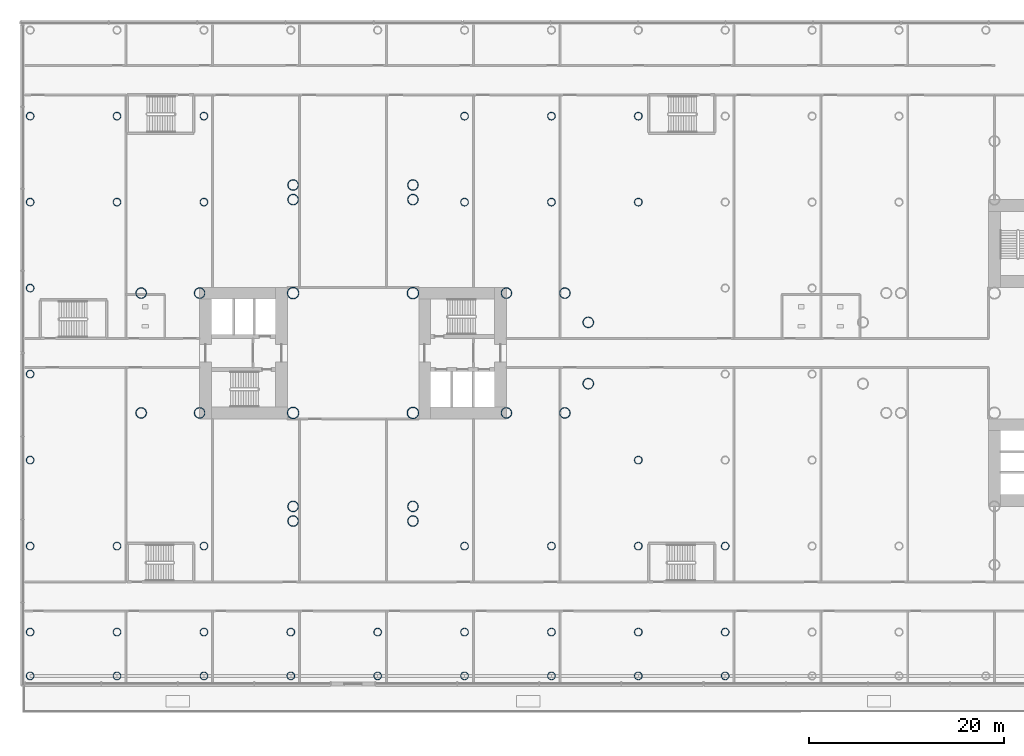
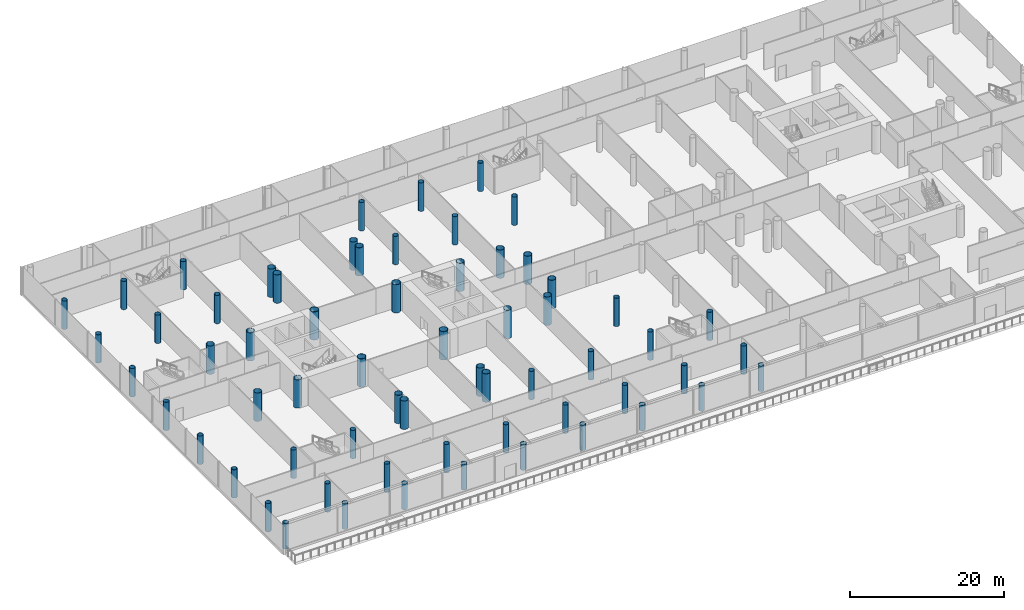
# One storey, part 1 of 51: 63 columns.
"""IFC4 building model written with IfcOpenShell, lengths in metres."""

import ifcopenshell
import ifcopenshell.guid

model = None  # the IFC model being written
_history = None  # IfcOwnerHistory: only IFC2X3 demands one
_inside = {}  # id of a spatial element -> (the spatial element, [elements in it])
_under = {}  # id of a project, library or spatial element -> (it, [spatial elements below it])
_declared = {}  # id of a project -> (the project, [libraries it declares])
_typed = {}  # id of a type object -> (the type object, [elements of that type])
_made_of = {}  # id of a material, layer set ... -> (it, [elements and type objects made of it])


def new_model(schema):
    """Start an empty IFC model of exactly this schema.

    Asked for "IFC4X3", IfcOpenShell would pick the latest addendum, in which some entities
    have other attributes; the version numbers below select the first issue.
    IFC2X3 requires an IfcOwnerHistory on every rooted entity: one is made here for all.
    """
    global model, _history
    if schema == "IFC4X3":
        model = ifcopenshell.file(schema_version=(4, 3, 0, 0))
    else:
        model = ifcopenshell.file(schema=schema)
    _inside.clear()
    _under.clear()
    _declared.clear()
    _typed.clear()
    _made_of.clear()
    _history = None
    if model.schema == "IFC2X3":
        org = make("IfcOrganization", Name="unknown")
        user = make(
            "IfcPersonAndOrganization",
            ThePerson=make("IfcPerson", FamilyName="unknown"),
            TheOrganization=org,
        )
        app = make(
            "IfcApplication",
            ApplicationDeveloper=org,
            Version="unknown",
            ApplicationFullName="unknown",
            ApplicationIdentifier="unknown",
        )
        _history = make(
            "IfcOwnerHistory",
            OwningUser=user,
            OwningApplication=app,
            ChangeAction="ADDED",
            CreationDate=0,
        )
    return model


def make(cls, **values):
    """One entity of the class cls with the attributes given. An attribute that is None is left unset."""
    return model.create_entity(
        cls, **{name: value for name, value in values.items() if value is not None}
    )


def rooted(cls, **values):
    """An entity with a GlobalId (a new one), such as an element, a storey or a relation."""
    return make(cls, GlobalId=ifcopenshell.guid.new(), OwnerHistory=_history, **values)


def si_unit(unit_type, name, prefix=None):
    """IfcSIUnit, for example si_unit("LENGTHUNIT", "METRE", prefix="MILLI")."""
    return make("IfcSIUnit", UnitType=unit_type, Prefix=prefix, Name=name)


def assignment(units):
    """IfcUnitAssignment: the units of a project."""
    return None if units is None else make("IfcUnitAssignment", Units=units)


def point(xyz):
    """IfcCartesianPoint."""
    return None if xyz is None else make("IfcCartesianPoint", Coordinates=xyz)


def direction(xyz):
    """IfcDirection."""
    return None if xyz is None else make("IfcDirection", DirectionRatios=xyz)


def frame(location, z_axis=None, x_axis=None):
    """IfcAxis2Placement3D, a coordinate frame: its origin and axes. An axis left out is left unset."""
    return make(
        "IfcAxis2Placement3D",
        Location=point(location),
        Axis=direction(z_axis),
        RefDirection=direction(x_axis),
    )


def frame_2d(location, x_axis=None):
    """IfcAxis2Placement2D, a coordinate frame in the plane: its origin and x axis."""
    return make(
        "IfcAxis2Placement2D", Location=point(location), RefDirection=direction(x_axis)
    )


def origin():
    """The frame at (0, 0, 0) with its axes left unset."""
    return frame((0.0, 0.0, 0.0))


def origin_2d():
    """The frame at (0, 0) in the plane with its x axis left unset."""
    return frame_2d((0.0, 0.0))


def place(relative_to, where):
    """IfcLocalPlacement: puts the frame where relative to a parent placement (None: the world)."""
    return make(
        "IfcLocalPlacement", PlacementRelTo=relative_to, RelativePlacement=where
    )


def context(
    kind, dimensions, precision=None, world=None, true_north=None, identifier=None
):
    """IfcGeometricRepresentationContext, for example the 3D "Model" context."""
    return make(
        "IfcGeometricRepresentationContext",
        ContextIdentifier=identifier,
        ContextType=kind,
        CoordinateSpaceDimension=dimensions,
        Precision=precision,
        WorldCoordinateSystem=world,
        TrueNorth=true_north,
    )


def subcontext(parent, identifier, kind, view, scale=None):
    """IfcGeometricRepresentationSubContext, for example "Body" below "Model"."""
    return make(
        "IfcGeometricRepresentationSubContext",
        ContextIdentifier=identifier,
        ContextType=kind,
        ParentContext=parent,
        TargetScale=scale,
        TargetView=view,
    )


def project(units=None, contexts=None):
    """IfcProject with its units and contexts."""
    return rooted(
        "IfcProject",
        Name="project",
        RepresentationContexts=contexts,
        UnitsInContext=assignment(units),
    )


def spatial(cls, under=None, at=None, **own):
    """A site, building, storey or space (cls), placed at a placement, below another one or the project."""
    s = rooted(cls, ObjectPlacement=at, **own)
    if under is not None:
        _under.setdefault(under.id(), (under, []))[1].append(s)
    return s


def profile(cls, at=None, kind="AREA", **sizes):
    """A parametric profile (cls). Its sizes go by their IFC names, for example OverallWidth=200.0."""
    return make(cls, ProfileType=kind, Position=at, **sizes)


def hollow_circle(**sizes):
    """IfcCircleHollowProfileDef."""
    return profile("IfcCircleHollowProfileDef", **sizes)


def extrude(swept, where, along, depth):
    """IfcExtrudedAreaSolid: the profile swept, set in the frame where, extruded along a direction by depth."""
    return make(
        "IfcExtrudedAreaSolid",
        SweptArea=swept,
        Position=where,
        ExtrudedDirection=direction(along),
        Depth=depth,
    )


def shape(context_of_items, identifier, shape_type, items):
    """IfcShapeRepresentation: the items that make up one representation, for example the "Body"."""
    return make(
        "IfcShapeRepresentation",
        ContextOfItems=context_of_items,
        RepresentationIdentifier=identifier,
        RepresentationType=shape_type,
        Items=items,
    )


def material(Name=None, Category=None):
    """IfcMaterial."""
    return make("IfcMaterial", Name=Name, Category=Category)


def material_profile(
    of_material, cross_section, Name=None, Category=None, Priority=None
):
    """IfcMaterialProfile: a cross section and its material."""
    return make(
        "IfcMaterialProfile",
        Name=Name,
        Material=of_material,
        Profile=cross_section,
        Priority=Priority,
        Category=Category,
    )


def profile_set(profiles, Name=None, composite=None):
    """IfcMaterialProfileSet."""
    return make(
        "IfcMaterialProfileSet",
        Name=Name,
        MaterialProfiles=profiles,
        CompositeProfile=composite,
    )


def made_of(thing, what):
    """Note that an element or type object is made of a material, layer set ...; save() writes the relation."""
    if what is not None:
        _made_of.setdefault(what.id(), (what, []))[1].append(thing)
    return thing


def type_object(cls, material=None, **own):
    """A type object (cls), such as IfcWallType, which elements share."""
    return made_of(rooted(cls, **own), material)


def element(
    cls,
    number,
    at=None,
    inside=None,
    cuts=None,
    type_object=None,
    material=None,
    context=None,
    identifier="Body",
    shape_type=None,
    held_by="IfcProductDefinitionShape",
    body=None,
    shapes=None,
    **own,
):
    """One element of the class cls, such as IfcWall. Its Tag is "e" and its number.

    at: its placement. inside: the storey or other place that contains it. cuts: it is an
    opening in that element (IfcRelVoidsElement). A single representation is given by context,
    identifier, shape_type and body (its items); several are given by shapes. held_by: the class
    of the entity that holds the representations. save() writes the other relations.
    """
    e = rooted(cls, Tag="e%d" % number, ObjectPlacement=at, **own)
    if body is not None:
        shapes = [shape(context, identifier, shape_type, body)]
    if shapes is not None:
        e.Representation = make(held_by, Representations=shapes)
    if inside is not None:
        _inside.setdefault(inside.id(), (inside, []))[1].append(e)
    if cuts is not None:
        rooted(
            "IfcRelVoidsElement", RelatingBuildingElement=cuts, RelatedOpeningElement=e
        )
    if type_object is not None:
        _typed.setdefault(type_object.id(), (type_object, []))[1].append(e)
    return made_of(e, material)


def aggregate(whole, parts):
    """IfcRelAggregates: a whole, such as a stair, and the parts it consists of."""
    return rooted("IfcRelAggregates", RelatingObject=whole, RelatedObjects=parts)


def save(model, path):
    """Write the relations noted so far, then the file.

    IfcRelAggregates (storeys below a building ...), IfcRelContainedInSpatialStructure (elements
    in a storey), IfcRelDefinesByType, IfcRelAssociatesMaterial and IfcRelDeclares: one each for
    every whole, place, type object, material and project.
    """
    for whole, parts in _under.values():
        aggregate(whole, parts)
    for where, things in _inside.values():
        rooted(
            "IfcRelContainedInSpatialStructure",
            RelatedElements=things,
            RelatingStructure=where,
        )
    for kind, things in _typed.values():
        rooted("IfcRelDefinesByType", RelatedObjects=things, RelatingType=kind)
    for what, things in _made_of.values():
        rooted("IfcRelAssociatesMaterial", RelatedObjects=things, RelatingMaterial=what)
    for by, libraries in _declared.values():
        rooted("IfcRelDeclares", RelatingContext=by, RelatedDefinitions=libraries)
    model.write(path)


model = new_model("IFC4")

# Units and contexts
model_context = context("Model", 3, precision=1e-05, world=origin(), true_north=direction((0.0, 1.0)))
body_context = subcontext(model_context, "Body", "Model", "MODEL_VIEW")
ifc_project = project(units=[si_unit("LENGTHUNIT", "METRE"), si_unit("AREAUNIT", "SQUARE_METRE"), si_unit("VOLUMEUNIT", "CUBIC_METRE"), si_unit("PLANEANGLEUNIT", "RADIAN"), si_unit("MASSUNIT", "GRAM", prefix="KILO")], contexts=[model_context])

# Site, building, storey
site_placement = place(None, origin())
site = spatial("IfcSite", under=ifc_project, at=site_placement, CompositionType="ELEMENT")
building_placement = place(site_placement, origin())
building = spatial("IfcBuilding", under=site, at=building_placement, Name="Ipe Terrace Towers", CompositionType="ELEMENT")
storey_placement = place(building_placement, frame((0.0, 0.0, 15.5)))
storey = spatial("IfcBuildingStorey", under=building, at=storey_placement, Name="L03", CompositionType="ELEMENT", Elevation=15.5)

# Columns
ifc_material_1 = material(Name="Steel S355 tube with Concrete C60/75 fill", Category="concrete")
ifc_material_profile_1 = material_profile(ifc_material_1, hollow_circle(Radius=0.550048828125, WallThickness=0.0400390625, at=origin_2d()), Name="CHS-1100x40")
ifc_profile_set_1 = profile_set([ifc_material_profile_1], Name="Steel S355 tube with Concrete C60/75 fill")
column_type_1 = type_object("IfcColumnType", Name="CH02 COLUMN CHS-1100x40", PredefinedType="COLUMN", material=ifc_profile_set_1)
for number, where, z_axis, x_axis, name in (
    (1, (-20.25, -6.14990234375, 0.0), (0.0, 0.0, 1.0), (1.0, 0.0, 0.0), "Column T1-C-A01"),
    (2, (-20.25, 6.14990234375, 0.0), (0.0, 0.0, 1.0), (1.0, 0.0, 0.0), "Column T1-C-A02"),
    (3, (-14.25, -6.14990234375, 0.0), (0.0, 0.0, 1.0), (1.0, 0.0, 0.0), "Column T1-C-A03"),
    (4, (-14.25, 6.14990234375, 0.0), (0.0, 0.0, 1.0), (1.0, 0.0, 0.0), "Column T1-C-A04"),
    (5, (-11.85009765625, -3.14990234375, 0.0), (0.0, 0.0, 1.0), (1.0, 0.0, 0.0), "Column T1-C-A05"),
    (6, (-11.85009765625, 3.14990234375, 0.0), (0.0, 0.0, 1.0), (1.0, 0.0, 0.0), "Column T1-C-A06"),
    (7, (-29.85009765625, 15.75, 0.0), (0.0, 0.0, 1.0), (1.0, 0.0, 0.0), "Column T1-C-B03"),
    (8, (-42.14990234375, 15.75, 0.0), (0.0, 0.0, 1.0), (1.0, 0.0, 0.0), "Column T1-C-B04"),
    (9, (-29.85009765625, 17.25, 0.0), (0.0, 0.0, 1.0), (1.0, 0.0, 0.0), "Column T1-C-B05"),
    (10, (-42.14990234375, 17.25, 0.0), (0.0, 0.0, 1.0), (1.0, 0.0, 0.0), "Column T1-C-B06"),
    (11, (-51.75, -6.14990234375, 0.0), (0.0, 0.0, 1.0), (1.0, 0.0, 0.0), "Column T1-C-C01"),
    (12, (-51.75, 6.14990234375, 0.0), (0.0, 0.0, 1.0), (1.0, 0.0, 0.0), "Column T1-C-C02"),
    (13, (-57.75, -6.14990234375, 0.0), (0.0, 0.0, 1.0), (1.0, 0.0, 0.0), "Column T1-C-C03"),
    (14, (-57.75, 6.14990234375, 0.0), (0.0, 0.0, 1.0), (1.0, 0.0, 0.0), "Column T1-C-C04"),
    (15, (-42.14990234375, -15.75, 0.0), (0.0, 0.0, 1.0), (1.0, 0.0, 0.0), "Column T1-C-D03"),
    (16, (-29.85009765625, -15.75, 0.0), (0.0, 0.0, 1.0), (1.0, 0.0, 0.0), "Column T1-C-D04"),
    (17, (-42.14990234375, -17.25, 0.0), (0.0, 0.0, 1.0), (1.0, 0.0, 0.0), "Column T1-C-D05"),
    (18, (-29.85009765625, -17.25, 0.0), (0.0, 0.0, 1.0), (1.0, 0.0, 0.0), "Column T1-C-D06"),
):
    element("IfcColumn", number, at=place(storey_placement, frame(where, z_axis=z_axis, x_axis=x_axis)), inside=storey, type_object=column_type_1, Name=name, PredefinedType="COLUMN", context=body_context, shape_type="SweptSolid", body=[
        extrude(hollow_circle(Radius=0.550048828125, WallThickness=0.0400390625, at=origin_2d()), origin(), (0.0, 0.0, 1.0), 4.5),
    ])
ifc_material_2 = material(Name="Steel S355 tube with Concrete C60/75 fill", Category="concrete")
ifc_material_profile_2 = material_profile(ifc_material_2, hollow_circle(Radius=0.60009765625, WallThickness=0.044921875, at=origin_2d()), Name="CHS-1200x45")
ifc_profile_set_2 = profile_set([ifc_material_profile_2], Name="Steel S355 tube with Concrete C60/75 fill")
column_type_2 = type_object("IfcColumnType", Name="CH03 COLUMN CHS-1200x45", PredefinedType="COLUMN", material=ifc_profile_set_2)
for number, where, z_axis, x_axis, name in (
    (19, (-42.14990234375, -6.14990234375, 0.0), (0.0, 0.0, 1.0), (1.0, 0.0, 0.0), "Column T1-C-E01"),
    (20, (-29.85009765625, -6.14990234375, 0.0), (0.0, 0.0, 1.0), (1.0, 0.0, 0.0), "Column T1-C-E02"),
    (21, (-29.85009765625, 6.14990234375, 0.0), (0.0, 0.0, 1.0), (1.0, 0.0, 0.0), "Column T1-C-E03"),
    (22, (-42.14990234375, 6.14990234375, 0.0), (0.0, 0.0, 1.0), (1.0, 0.0, 0.0), "Column T1-C-E04"),
):
    element("IfcColumn", number, at=place(storey_placement, frame(where, z_axis=z_axis, x_axis=x_axis)), inside=storey, type_object=column_type_2, Name=name, PredefinedType="COLUMN", context=body_context, shape_type="SweptSolid", body=[
        extrude(hollow_circle(Radius=0.60009765625, WallThickness=0.044921875, at=origin_2d()), origin(), (0.0, 0.0, 1.0), 4.5),
    ])
ifc_material_3 = material(Name="Steel S355 tube with Concrete C60/75 fill", Category="concrete")
ifc_material_profile_3 = material_profile(ifc_material_3, hollow_circle(Radius=0.39990234375, WallThickness=0.028076171875, at=origin_2d()), Name="CHS-800x28")
ifc_profile_set_3 = profile_set([ifc_material_profile_3], Name="Steel S355 tube with Concrete C60/75 fill")
column_type_3 = type_object("IfcColumnType", Name="CH09 PODIUM COLUMN CHS-800x28", PredefinedType="COLUMN", material=ifc_profile_set_3)
for number, where, z_axis, x_axis, name in (
    (23, (-69.14990234375, -33.14990234375, 0.0), (0.0, 0.0, 1.0), (1.0, 0.0, 0.0), "Column PD-C-C01"),
    (24, (-60.22998046875, -33.14990234375, 0.0), (0.0, 0.0, 1.0), (1.0, 0.0, 0.0), "Column PD-C-C02"),
    (25, (-51.31005859375, -33.14990234375, 0.0), (0.0, 0.0, 1.0), (1.0, 0.0, 0.0), "Column PD-C-C03"),
    (26, (-42.389892578125, -33.14990234375, 0.0), (0.0, 0.0, 1.0), (1.0, 0.0, 0.0), "Column PD-C-C04"),
    (27, (-33.469970703125, -33.14990234375, 0.0), (0.0, 0.0, 1.0), (1.0, 0.0, 0.0), "Column PD-C-C05"),
    (28, (-24.550048828125, -33.14990234375, 0.0), (0.0, 0.0, 1.0), (1.0, 0.0, 0.0), "Column PD-C-C06"),
    (29, (-15.6298828125, -33.14990234375, 0.0), (0.0, 0.0, 1.0), (1.0, 0.0, 0.0), "Column PD-C-C07"),
    (30, (-6.7099609375, -33.14990234375, 0.0), (0.0, 0.0, 1.0), (1.0, 0.0, 0.0), "Column PD-C-C08"),
    (31, (2.2099609375, -33.14990234375, 0.0), (0.0, 0.0, 1.0), (1.0, 0.0, 0.0), "Column PD-C-C09"),
):
    element("IfcColumn", number, at=place(storey_placement, frame(where, z_axis=z_axis, x_axis=x_axis)), inside=storey, type_object=column_type_3, Name=name, PredefinedType="COLUMN", context=body_context, shape_type="SweptSolid", body=[
        extrude(hollow_circle(Radius=0.39990234375, WallThickness=0.028076171875, at=origin_2d()), origin(), (0.0, 0.0, 1.0), 4.080078125),
    ])
for number, where, z_axis, x_axis, name in (
    (32, (-69.14990234375, -28.64990234375, 0.0), (0.0, 0.0, 1.0), (1.0, 0.0, 0.0), "Column PD-C-D01"),
    (33, (-60.22998046875, -28.64990234375, 0.0), (0.0, 0.0, 1.0), (1.0, 0.0, 0.0), "Column PD-C-D02"),
    (34, (-51.31005859375, -28.64990234375, 0.0), (0.0, 0.0, 1.0), (1.0, 0.0, 0.0), "Column PD-C-D03"),
    (35, (-42.389892578125, -28.64990234375, 0.0), (0.0, 0.0, 1.0), (1.0, 0.0, 0.0), "Column PD-C-D04"),
    (36, (-33.469970703125, -28.64990234375, 0.0), (0.0, 0.0, 1.0), (1.0, 0.0, 0.0), "Column PD-C-D05"),
    (37, (-24.550048828125, -28.64990234375, 0.0), (0.0, 0.0, 1.0), (1.0, 0.0, 0.0), "Column PD-C-D06"),
    (38, (-15.6298828125, -28.64990234375, 0.0), (0.0, 0.0, 1.0), (1.0, 0.0, 0.0), "Column PD-C-D07"),
    (39, (-6.7099609375, -28.64990234375, 0.0), (0.0, 0.0, 1.0), (1.0, 0.0, 0.0), "Column PD-C-D08"),
    (40, (2.2099609375, -28.64990234375, 0.0), (0.0, 0.0, 1.0), (1.0, 0.0, 0.0), "Column PD-C-D09"),
    (41, (-69.14990234375, -19.821044921875, 0.0), (0.0, 0.0, 1.0), (1.0, 0.0, 0.0), "Column PD-C-E01"),
    (42, (-60.22998046875, -19.821044921875, 0.0), (0.0, 0.0, 1.0), (1.0, 0.0, 0.0), "Column PD-C-E02"),
    (43, (-51.31005859375, -19.821044921875, 0.0), (0.0, 0.0, 1.0), (1.0, 0.0, 0.0), "Column PD-C-E03"),
    (44, (-24.550048828125, -19.821044921875, 0.0), (0.0, 0.0, 1.0), (1.0, 0.0, 0.0), "Column PD-C-E06"),
    (45, (-15.6298828125, -19.821044921875, 0.0), (0.0, 0.0, 1.0), (1.0, 0.0, 0.0), "Column PD-C-E07"),
    (46, (-6.7099609375, -19.821044921875, 0.0), (0.0, 0.0, 1.0), (1.0, 0.0, 0.0), "Column PD-C-E08"),
    (47, (2.2099609375, -19.821044921875, 0.0), (0.0, 0.0, 1.0), (1.0, 0.0, 0.0), "Column PD-C-E09"),
    (48, (-69.14990234375, -10.992919921875, 0.0), (0.0, 0.0, 1.0), (1.0, 0.0, 0.0), "Column PD-C-F01"),
    (49, (-6.7099609375, -10.992919921875, 0.0), (0.0, 0.0, 1.0), (1.0, 0.0, 0.0), "Column PD-C-F08"),
    (50, (-69.14990234375, -2.1640625, 0.0), (0.0, 0.0, 1.0), (1.0, 0.0, 0.0), "Column PD-C-G01"),
    (51, (-69.14990234375, 6.6640625, 0.0), (0.0, 0.0, 1.0), (1.0, 0.0, 0.0), "Column PD-C-H01"),
    (52, (-69.14990234375, 15.492919921875, 0.0), (0.0, 0.0, 1.0), (1.0, 0.0, 0.0), "Column PD-C-I01"),
    (53, (-60.22998046875, 15.492919921875, 0.0), (0.0, 0.0, 1.0), (1.0, 0.0, 0.0), "Column PD-C-I02"),
    (54, (-51.31005859375, 15.492919921875, 0.0), (0.0, 0.0, 1.0), (1.0, 0.0, 0.0), "Column PD-C-I03"),
    (55, (-24.550048828125, 15.492919921875, 0.0), (0.0, 0.0, 1.0), (1.0, 0.0, 0.0), "Column PD-C-I06"),
    (56, (-15.6298828125, 15.492919921875, 0.0), (0.0, 0.0, 1.0), (1.0, 0.0, 0.0), "Column PD-C-I07"),
    (57, (-6.7099609375, 15.492919921875, 0.0), (0.0, 0.0, 1.0), (1.0, 0.0, 0.0), "Column PD-C-I08"),
    (58, (-69.14990234375, 24.321044921875, 0.0), (0.0, 0.0, 1.0), (1.0, 0.0, 0.0), "Column PD-C-J01"),
    (59, (-60.22998046875, 24.321044921875, 0.0), (0.0, 0.0, 1.0), (1.0, 0.0, 0.0), "Column PD-C-J02"),
    (60, (-51.31005859375, 24.321044921875, 0.0), (0.0, 0.0, 1.0), (1.0, 0.0, 0.0), "Column PD-C-J03"),
    (61, (-24.550048828125, 24.321044921875, 0.0), (0.0, 0.0, 1.0), (1.0, 0.0, 0.0), "Column PD-C-J06"),
    (62, (-15.6298828125, 24.321044921875, 0.0), (0.0, 0.0, 1.0), (1.0, 0.0, 0.0), "Column PD-C-J07"),
    (63, (-6.7099609375, 24.321044921875, 0.0), (0.0, 0.0, 1.0), (1.0, 0.0, 0.0), "Column PD-C-J08"),
):
    element("IfcColumn", number, at=place(storey_placement, frame(where, z_axis=z_axis, x_axis=x_axis)), inside=storey, type_object=column_type_3, Name=name, PredefinedType="COLUMN", context=body_context, shape_type="SweptSolid", body=[
        extrude(hollow_circle(Radius=0.39990234375, WallThickness=0.028076171875, at=origin_2d()), origin(), (0.0, 0.0, 1.0), 4.5),
    ])

save(model, "model.ifc")
